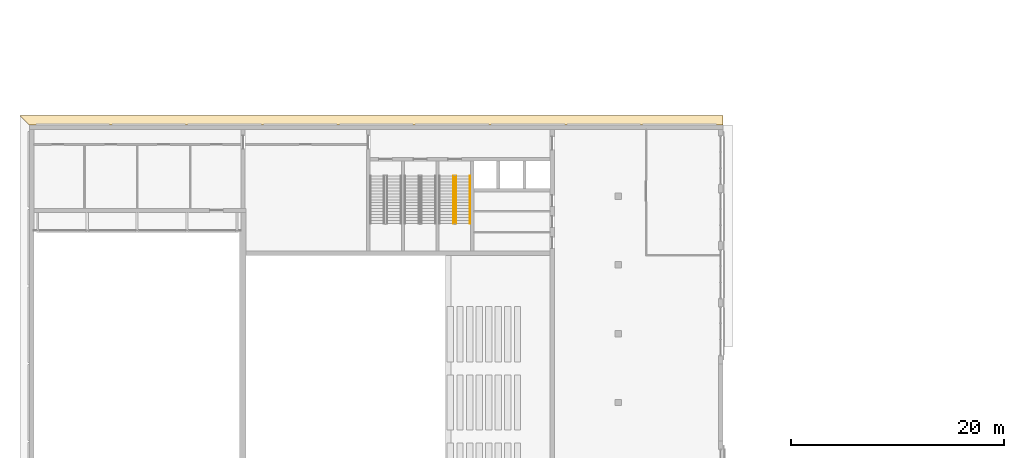
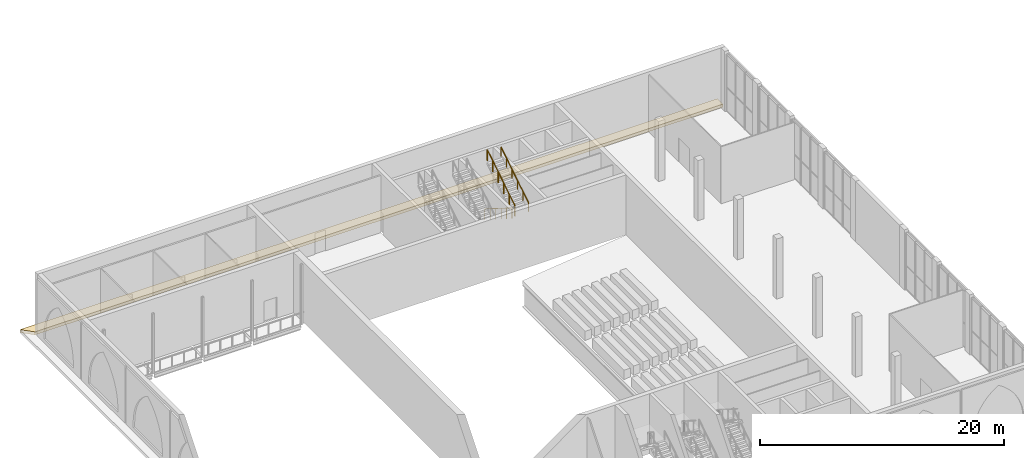
# One storey, part 48 of 74: 3 railings, 1 covering.
"""IFC4 building model written with IfcOpenShell, lengths in metres."""

import ifcopenshell
import ifcopenshell.guid

model = None  # the IFC model being written
_history = None  # IfcOwnerHistory: only IFC2X3 demands one
_inside = {}  # id of a spatial element -> (the spatial element, [elements in it])
_under = {}  # id of a project, library or spatial element -> (it, [spatial elements below it])
_declared = {}  # id of a project -> (the project, [libraries it declares])
_typed = {}  # id of a type object -> (the type object, [elements of that type])
_made_of = {}  # id of a material, layer set ... -> (it, [elements and type objects made of it])


def new_model(schema):
    """Start an empty IFC model of exactly this schema.

    Asked for "IFC4X3", IfcOpenShell would pick the latest addendum, in which some entities
    have other attributes; the version numbers below select the first issue.
    IFC2X3 requires an IfcOwnerHistory on every rooted entity: one is made here for all.
    """
    global model, _history
    if schema == "IFC4X3":
        model = ifcopenshell.file(schema_version=(4, 3, 0, 0))
    else:
        model = ifcopenshell.file(schema=schema)
    _inside.clear()
    _under.clear()
    _declared.clear()
    _typed.clear()
    _made_of.clear()
    _history = None
    if model.schema == "IFC2X3":
        org = make("IfcOrganization", Name="unknown")
        user = make(
            "IfcPersonAndOrganization",
            ThePerson=make("IfcPerson", FamilyName="unknown"),
            TheOrganization=org,
        )
        app = make(
            "IfcApplication",
            ApplicationDeveloper=org,
            Version="unknown",
            ApplicationFullName="unknown",
            ApplicationIdentifier="unknown",
        )
        _history = make(
            "IfcOwnerHistory",
            OwningUser=user,
            OwningApplication=app,
            ChangeAction="ADDED",
            CreationDate=0,
        )
    return model


def make(cls, **values):
    """One entity of the class cls with the attributes given. An attribute that is None is left unset."""
    return model.create_entity(
        cls, **{name: value for name, value in values.items() if value is not None}
    )


def rooted(cls, **values):
    """An entity with a GlobalId (a new one), such as an element, a storey or a relation."""
    return make(cls, GlobalId=ifcopenshell.guid.new(), OwnerHistory=_history, **values)


def si_unit(unit_type, name, prefix=None):
    """IfcSIUnit, for example si_unit("LENGTHUNIT", "METRE", prefix="MILLI")."""
    return make("IfcSIUnit", UnitType=unit_type, Prefix=prefix, Name=name)


def assignment(units):
    """IfcUnitAssignment: the units of a project."""
    return None if units is None else make("IfcUnitAssignment", Units=units)


def point(xyz):
    """IfcCartesianPoint."""
    return None if xyz is None else make("IfcCartesianPoint", Coordinates=xyz)


def direction(xyz):
    """IfcDirection."""
    return None if xyz is None else make("IfcDirection", DirectionRatios=xyz)


def frame(location, z_axis=None, x_axis=None):
    """IfcAxis2Placement3D, a coordinate frame: its origin and axes. An axis left out is left unset."""
    return make(
        "IfcAxis2Placement3D",
        Location=point(location),
        Axis=direction(z_axis),
        RefDirection=direction(x_axis),
    )


def frame_2d(location, x_axis=None):
    """IfcAxis2Placement2D, a coordinate frame in the plane: its origin and x axis."""
    return make(
        "IfcAxis2Placement2D", Location=point(location), RefDirection=direction(x_axis)
    )


def origin():
    """The frame at (0, 0, 0) with its axes left unset."""
    return frame((0.0, 0.0, 0.0))


def origin_2d():
    """The frame at (0, 0) in the plane with its x axis left unset."""
    return frame_2d((0.0, 0.0))


def place(relative_to, where):
    """IfcLocalPlacement: puts the frame where relative to a parent placement (None: the world)."""
    return make(
        "IfcLocalPlacement", PlacementRelTo=relative_to, RelativePlacement=where
    )


def context(
    kind, dimensions, precision=None, world=None, true_north=None, identifier=None
):
    """IfcGeometricRepresentationContext, for example the 3D "Model" context."""
    return make(
        "IfcGeometricRepresentationContext",
        ContextIdentifier=identifier,
        ContextType=kind,
        CoordinateSpaceDimension=dimensions,
        Precision=precision,
        WorldCoordinateSystem=world,
        TrueNorth=true_north,
    )


def subcontext(parent, identifier, kind, view, scale=None):
    """IfcGeometricRepresentationSubContext, for example "Body" below "Model"."""
    return make(
        "IfcGeometricRepresentationSubContext",
        ContextIdentifier=identifier,
        ContextType=kind,
        ParentContext=parent,
        TargetScale=scale,
        TargetView=view,
    )


def project(units=None, contexts=None):
    """IfcProject with its units and contexts."""
    return rooted(
        "IfcProject",
        Name="project",
        RepresentationContexts=contexts,
        UnitsInContext=assignment(units),
    )


def spatial(cls, under=None, at=None, **own):
    """A site, building, storey or space (cls), placed at a placement, below another one or the project."""
    s = rooted(cls, ObjectPlacement=at, **own)
    if under is not None:
        _under.setdefault(under.id(), (under, []))[1].append(s)
    return s


def polyline(points):
    """IfcPolyline through the points."""
    return make("IfcPolyline", Points=[point(p) for p in points])


def profile(cls, at=None, kind="AREA", **sizes):
    """A parametric profile (cls). Its sizes go by their IFC names, for example OverallWidth=200.0."""
    return make(cls, ProfileType=kind, Position=at, **sizes)


def rectangle(**sizes):
    """IfcRectangleProfileDef."""
    return profile("IfcRectangleProfileDef", **sizes)


def outline(outer, holes=None, kind="AREA"):
    """IfcArbitraryClosedProfileDef: a profile drawn as a closed curve; with holes, ...WithVoids."""
    if holes is None:
        return make("IfcArbitraryClosedProfileDef", ProfileType=kind, OuterCurve=outer)
    return make(
        "IfcArbitraryProfileDefWithVoids",
        ProfileType=kind,
        OuterCurve=outer,
        InnerCurves=holes,
    )


def extrude(swept, where, along, depth):
    """IfcExtrudedAreaSolid: the profile swept, set in the frame where, extruded along a direction by depth."""
    return make(
        "IfcExtrudedAreaSolid",
        SweptArea=swept,
        Position=where,
        ExtrudedDirection=direction(along),
        Depth=depth,
    )


def shape(context_of_items, identifier, shape_type, items):
    """IfcShapeRepresentation: the items that make up one representation, for example the "Body"."""
    return make(
        "IfcShapeRepresentation",
        ContextOfItems=context_of_items,
        RepresentationIdentifier=identifier,
        RepresentationType=shape_type,
        Items=items,
    )


def material(Name=None, Category=None):
    """IfcMaterial."""
    return make("IfcMaterial", Name=Name, Category=Category)


def made_of(thing, what):
    """Note that an element or type object is made of a material, layer set ...; save() writes the relation."""
    if what is not None:
        _made_of.setdefault(what.id(), (what, []))[1].append(thing)
    return thing


def type_object(cls, material=None, **own):
    """A type object (cls), such as IfcWallType, which elements share."""
    return made_of(rooted(cls, **own), material)


def element(
    cls,
    number,
    at=None,
    inside=None,
    cuts=None,
    type_object=None,
    material=None,
    context=None,
    identifier="Body",
    shape_type=None,
    held_by="IfcProductDefinitionShape",
    body=None,
    shapes=None,
    **own,
):
    """One element of the class cls, such as IfcWall. Its Tag is "e" and its number.

    at: its placement. inside: the storey or other place that contains it. cuts: it is an
    opening in that element (IfcRelVoidsElement). A single representation is given by context,
    identifier, shape_type and body (its items); several are given by shapes. held_by: the class
    of the entity that holds the representations. save() writes the other relations.
    """
    e = rooted(cls, Tag="e%d" % number, ObjectPlacement=at, **own)
    if body is not None:
        shapes = [shape(context, identifier, shape_type, body)]
    if shapes is not None:
        e.Representation = make(held_by, Representations=shapes)
    if inside is not None:
        _inside.setdefault(inside.id(), (inside, []))[1].append(e)
    if cuts is not None:
        rooted(
            "IfcRelVoidsElement", RelatingBuildingElement=cuts, RelatedOpeningElement=e
        )
    if type_object is not None:
        _typed.setdefault(type_object.id(), (type_object, []))[1].append(e)
    return made_of(e, material)


def aggregate(whole, parts):
    """IfcRelAggregates: a whole, such as a stair, and the parts it consists of."""
    return rooted("IfcRelAggregates", RelatingObject=whole, RelatedObjects=parts)


def save(model, path):
    """Write the relations noted so far, then the file.

    IfcRelAggregates (storeys below a building ...), IfcRelContainedInSpatialStructure (elements
    in a storey), IfcRelDefinesByType, IfcRelAssociatesMaterial and IfcRelDeclares: one each for
    every whole, place, type object, material and project.
    """
    for whole, parts in _under.values():
        aggregate(whole, parts)
    for where, things in _inside.values():
        rooted(
            "IfcRelContainedInSpatialStructure",
            RelatedElements=things,
            RelatingStructure=where,
        )
    for kind, things in _typed.values():
        rooted("IfcRelDefinesByType", RelatedObjects=things, RelatingType=kind)
    for what, things in _made_of.values():
        rooted("IfcRelAssociatesMaterial", RelatedObjects=things, RelatingMaterial=what)
    for by, libraries in _declared.values():
        rooted("IfcRelDeclares", RelatingContext=by, RelatedDefinitions=libraries)
    model.write(path)


model = new_model("IFC4")

# Units and contexts
model_context = context("Model", 3, precision=1e-05, world=origin(), true_north=direction((0.0, 1.0)))
body_context = subcontext(model_context, "Body", "Model", "MODEL_VIEW")
ifc_project = project(units=[si_unit("LENGTHUNIT", "METRE"), si_unit("AREAUNIT", "SQUARE_METRE"), si_unit("VOLUMEUNIT", "CUBIC_METRE"), si_unit("PLANEANGLEUNIT", "RADIAN"), si_unit("MASSUNIT", "GRAM", prefix="KILO")], contexts=[model_context])

# Site, building, storey
site_placement = place(None, origin())
site = spatial("IfcSite", under=ifc_project, at=site_placement, CompositionType="ELEMENT")
building_placement = place(site_placement, origin())
building = spatial("IfcBuilding", under=site, at=building_placement, Name="Noorbagh Ring Tower", CompositionType="ELEMENT")
storey_placement = place(building_placement, frame((0.0, 0.0, 7.5)))
storey = spatial("IfcBuildingStorey", under=building, at=storey_placement, Name="L01", CompositionType="ELEMENT", Elevation=7.5)

# Covering
ifc_material_1 = material(Name="Red sandstone eave", Category="masonry")
covering_type = type_object("IfcCoveringType", Name="STH-CHHAJJA", PredefinedType="USERDEFINED", material=ifc_material_1)
covering_placement = place(storey_placement, frame((0.0, 0.0, -0.300048828125)))
element("IfcCovering", 1, at=covering_placement, inside=storey, type_object=covering_type, Name="Chhajja eave", ObjectType="CHHAJJA", PredefinedType="USERDEFINED", context=body_context, shape_type="SweptSolid", body=[
    extrude(outline(polyline([(-160.0, 31.0), (-95.0, 31.0), (-95.0, 31.89990234375), (-160.89990234375, 31.89990234375), (-160.0, 31.0)])), origin(), (0.0, 0.0, 1.0), 0.300048828125),
])

# Railings
ifc_material_2 = material(Name="Stainless steel", Category="steel")
railing_type_1 = type_object("IfcRailingType", Name="TH-STAIR-GUARD", PredefinedType="GUARDRAIL", material=ifc_material_2)
railing_1_placement = place(storey_placement, frame((-120.25, 26.25, 0.176513671875)))
element("IfcRailing", 2, at=railing_1_placement, inside=storey, type_object=railing_type_1, Name="L01 TSN2 stair guard 1", PredefinedType="GUARDRAIL", context=body_context, shape_type="SweptSolid", body=[
    extrude(rectangle(XDim=0.048095703125, YDim=0.048095703125, at=origin_2d()), frame((0.0, 0.0, 1.076171875), z_axis=(0.0, -0.845997938375, 0.533186166611), x_axis=(1.0, 0.0, 0.0)), (0.0, 0.0, 1.0), 5.29541015625),
    extrude(rectangle(XDim=0.0419921875, YDim=0.0419921875, at=origin_2d()), origin(), (0.0, 0.0, 1.0), 1.052001953125),
    extrude(rectangle(XDim=0.0419921875, YDim=0.0419921875, at=origin_2d()), frame((0.0, -0.89599609375, 0.564697265625)), (0.0, 0.0, 1.0), 1.052001953125),
    extrude(rectangle(XDim=0.0419921875, YDim=0.0419921875, at=origin_2d()), frame((0.0, -1.7919921875, 1.12939453125)), (0.0, 0.0, 1.0), 1.052001953125),
    extrude(rectangle(XDim=0.0419921875, YDim=0.0419921875, at=origin_2d()), frame((0.0, -2.68798828125, 1.694091796875)), (0.0, 0.0, 1.0), 1.052001953125),
    extrude(rectangle(XDim=0.0419921875, YDim=0.0419921875, at=origin_2d()), frame((0.0, -3.583984375, 2.2587890625)), (0.0, 0.0, 1.0), 1.052001953125),
    extrude(rectangle(XDim=0.0419921875, YDim=0.0419921875, at=origin_2d()), frame((0.0, -4.47998046875, 2.823486328125)), (0.0, 0.0, 1.0), 1.052001953125),
])
railing_2_placement = place(storey_placement, frame((-120.0, 21.77001953125, 3.176513671875)))
element("IfcRailing", 3, at=railing_2_placement, inside=storey, type_object=railing_type_1, Name="L01 TSN2 stair guard 3", PredefinedType="GUARDRAIL", context=body_context, shape_type="SweptSolid", body=[
    extrude(rectangle(XDim=0.048095703125, YDim=0.048095703125, at=origin_2d()), frame((0.0, 0.0, 1.076171875), z_axis=(0.0, 0.845997938375, 0.533186166611), x_axis=(-1.0, 0.0, 0.0)), (0.0, 0.0, 1.0), 5.29541015625),
    extrude(rectangle(XDim=0.0419921875, YDim=0.0419921875, at=origin_2d()), origin(), (0.0, 0.0, 1.0), 1.052001953125),
    extrude(rectangle(XDim=0.0419921875, YDim=0.0419921875, at=origin_2d()), frame((0.0, 0.89599609375, 0.564697265625)), (0.0, 0.0, 1.0), 1.052001953125),
    extrude(rectangle(XDim=0.0419921875, YDim=0.0419921875, at=origin_2d()), frame((0.0, 1.7919921875, 1.12939453125)), (0.0, 0.0, 1.0), 1.052001953125),
    extrude(rectangle(XDim=0.0419921875, YDim=0.0419921875, at=origin_2d()), frame((0.0, 2.68798828125, 1.694091796875)), (0.0, 0.0, 1.0), 1.052001953125),
    extrude(rectangle(XDim=0.0419921875, YDim=0.0419921875, at=origin_2d()), frame((0.0, 3.583984375, 2.2587890625)), (0.0, 0.0, 1.0), 1.052001953125),
    extrude(rectangle(XDim=0.0419921875, YDim=0.0419921875, at=origin_2d()), frame((0.0, 4.47998046875, 2.823486328125)), (0.0, 0.0, 1.0), 1.052001953125),
])
ifc_material_3 = material(Name="Stainless steel", Category="steel")
railing_type_2 = type_object("IfcRailingType", Name="TH-STAIR-HANDRAIL", PredefinedType="HANDRAIL", material=ifc_material_3)
railing_3_placement = place(storey_placement, frame((-118.699951171875, 21.77001953125, 3.176513671875)))
element("IfcRailing", 4, at=railing_3_placement, inside=storey, type_object=railing_type_2, Name="L01 TSN2 stair handrail 2", PredefinedType="HANDRAIL", context=body_context, shape_type="SweptSolid", body=[
    extrude(rectangle(XDim=0.048095703125, YDim=0.048095703125, at=origin_2d()), frame((0.0, 0.0, 0.8759765625), z_axis=(0.0, 0.845997938375, 0.533186166611), x_axis=(-1.0, 0.0, 0.0)), (0.0, 0.0, 1.0), 5.29541015625),
    extrude(rectangle(XDim=0.0419921875, YDim=0.0419921875, at=origin_2d()), origin(), (0.0, 0.0, 1.0), 0.851806640625),
    extrude(rectangle(XDim=0.0419921875, YDim=0.0419921875, at=origin_2d()), frame((0.0, 0.89599609375, 0.564697265625)), (0.0, 0.0, 1.0), 0.851806640625),
    extrude(rectangle(XDim=0.0419921875, YDim=0.0419921875, at=origin_2d()), frame((0.0, 1.7919921875, 1.12939453125)), (0.0, 0.0, 1.0), 0.851806640625),
    extrude(rectangle(XDim=0.0419921875, YDim=0.0419921875, at=origin_2d()), frame((0.0, 2.68798828125, 1.694091796875)), (0.0, 0.0, 1.0), 0.851806640625),
    extrude(rectangle(XDim=0.0419921875, YDim=0.0419921875, at=origin_2d()), frame((0.0, 3.583984375, 2.2587890625)), (0.0, 0.0, 1.0), 0.851806640625),
    extrude(rectangle(XDim=0.0419921875, YDim=0.0419921875, at=origin_2d()), frame((0.0, 4.47998046875, 2.823486328125)), (0.0, 0.0, 1.0), 0.851806640625),
])

save(model, "model.ifc")
